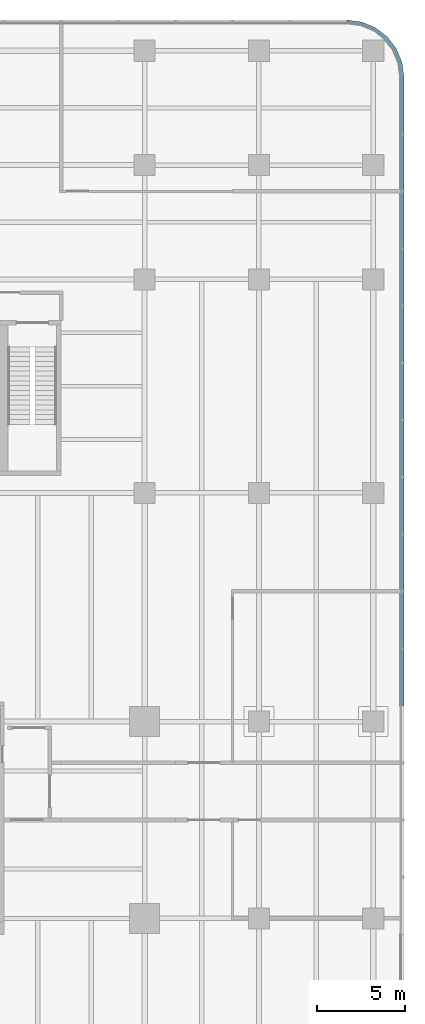
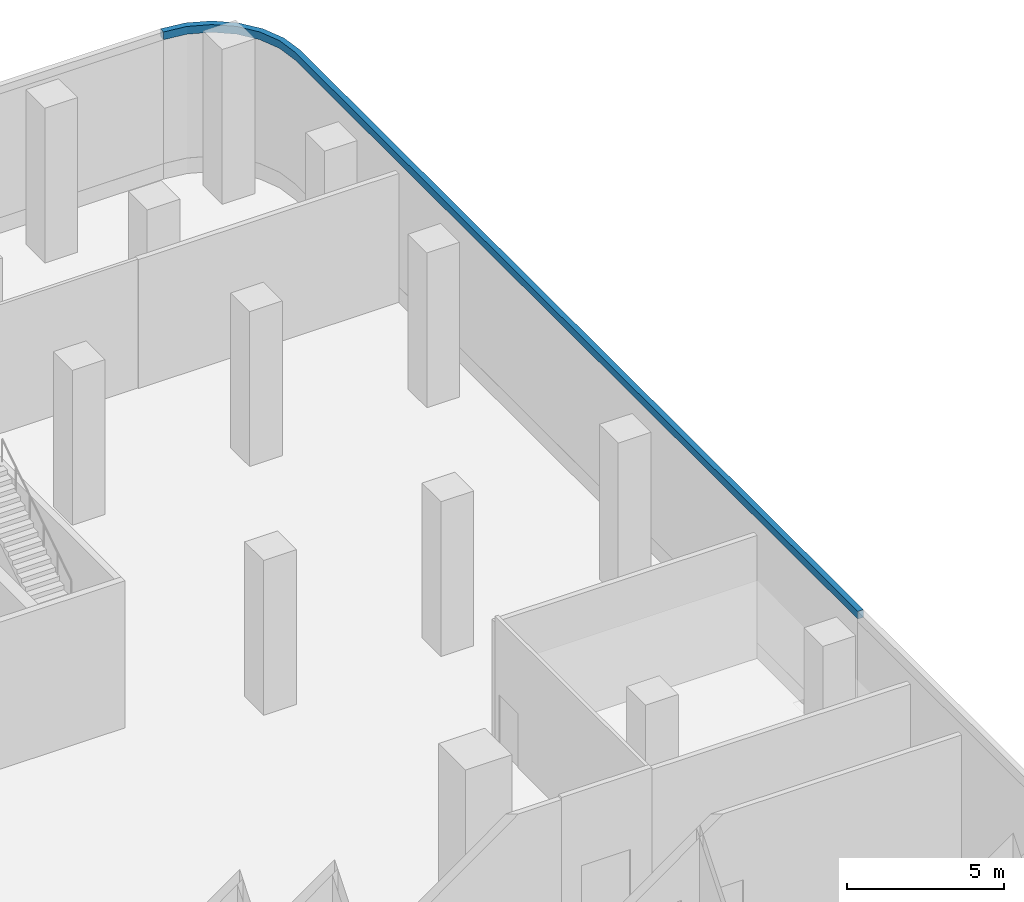
# One storey, part 27 of 41: 1 member, 1 element without a shape of its own.
"""IFC4 building model written with IfcOpenShell, lengths in metres."""

from ifc_helpers import new_model, si_unit, direction, frame, origin, place, context, subcontext, project, spatial, polyline, outline, extrude, material, layer, layer_set, type_object, element, aggregate, save


model = new_model("IFC4")

# Units and contexts
model_context = context("Model", 3, precision=1e-05, world=origin(), true_north=direction((0.0, 1.0)))
body_context = subcontext(model_context, "Body", "Model", "MODEL_VIEW")
ifc_project = project(units=[si_unit("LENGTHUNIT", "METRE"), si_unit("AREAUNIT", "SQUARE_METRE"), si_unit("VOLUMEUNIT", "CUBIC_METRE"), si_unit("PLANEANGLEUNIT", "RADIAN"), si_unit("MASSUNIT", "GRAM", prefix="KILO")], contexts=[model_context])

# Site, building, storey
site_placement = place(None, origin())
site = spatial("IfcSite", under=ifc_project, at=site_placement, CompositionType="ELEMENT")
building_placement = place(site_placement, origin())
building = spatial("IfcBuilding", under=site, at=building_placement, Name="Trellis Farm Tower", CompositionType="ELEMENT")
storey_placement = place(building_placement, frame((0.0, 0.0, 8.0)))
storey = spatial("IfcBuildingStorey", under=building, at=storey_placement, Name="L01", CompositionType="ELEMENT", Elevation=8.0)

# Curtain wall, member
ifc_material_1 = material(Name="Aluminium and glass curtain wall", Category="aluminium")
ifc_layer_1 = layer(ifc_material_1, 0.201904296875)
ifc_layer_set_1 = layer_set([ifc_layer_1], Name="SHOPFRONT CURTAIN WALL CW2")
curtain_wall_type = type_object("IfcCurtainWallType", Name="SHOPFRONT CURTAIN WALL CW2", PredefinedType="NOTDEFINED", material=ifc_layer_set_1)
curtain_wall_placement = place(storey_placement, origin())
curtain_wall = element("IfcCurtainWall", 1, at=curtain_wall_placement, inside=storey, type_object=curtain_wall_type, Name="CW2 002", PredefinedType="NOTDEFINED")
ifc_material_2 = material(Name="Aluminium extrusion 6063-T6", Category="aluminium")
ifc_layer_2 = layer(ifc_material_2, 0.205078125)
ifc_layer_set_2 = layer_set([ifc_layer_2], Name="Aluminium extrusion 6063-T6")
member_type = type_object("IfcMemberType", Name="CW2 TRANSOM 205x300", PredefinedType="USERDEFINED", material=ifc_layer_set_2)
member_placement = place(storey_placement, frame((0.0, 0.0, 5.39990234375)))
member = element("IfcMember", 2, at=member_placement, type_object=member_type, Name="TR2 002", ObjectType="TRANSOM", PredefinedType="USERDEFINED", context=body_context, shape_type="SweptSolid", body=[
    extrude(outline(polyline([(45.5, 6.5), (45.5, 42.25), (45.38916015625, 43.091064453125), (45.064697265625, 43.875), (44.548095703125, 44.548095703125), (43.875, 45.064697265625), (43.091064453125, 45.38916015625), (42.25, 45.5), (42.236572265625, 45.294921875), (43.03759765625, 45.189453125), (43.771728515625, 44.885498046875), (44.40185546875, 44.40185546875), (44.885498046875, 43.771728515625), (45.189453125, 43.03759765625), (45.294921875, 42.236572265625), (45.294921875, 6.5), (45.5, 6.5)])), origin(), (0.0, 0.0, 1.0), 0.300048828125),
])
aggregate(curtain_wall, [member])

save(model, "model.ifc")
